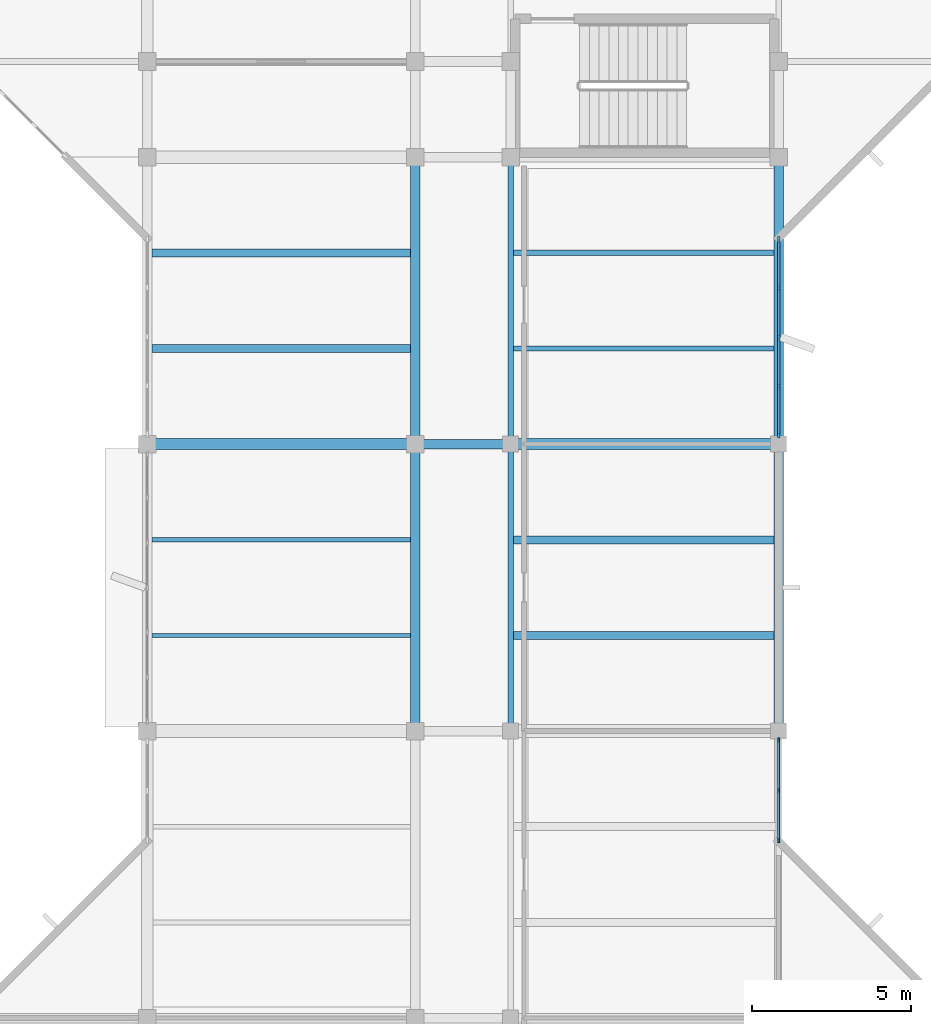
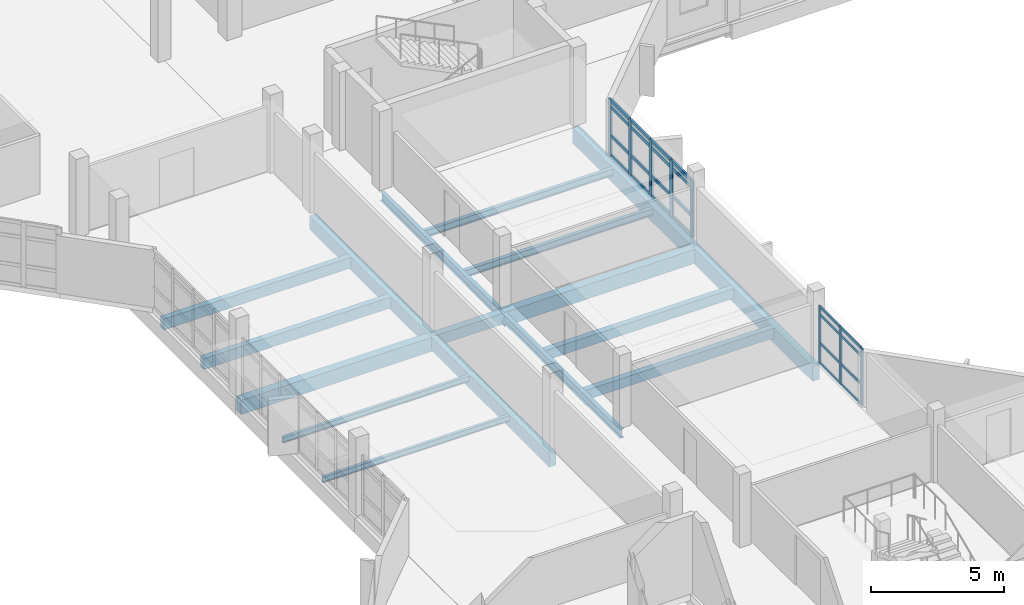
# One storey, part 10 of 51: 32 members, 17 beams, 2 elements without a shape of their own.
"""IFC4 building model written with IfcOpenShell, lengths in metres."""

from ifc_helpers import new_model, si_unit, direction, frame, origin, origin_2d, place, context, subcontext, project, spatial, rectangle, i_section, extrude, material, material_profile, profile_set, type_object, element, aggregate, save


model = new_model("IFC4")

# Units and contexts
model_context = context("Model", 3, precision=1e-05, world=origin(), true_north=direction((0.0, 1.0)))
body_context = subcontext(model_context, "Body", "Model", "MODEL_VIEW")
ifc_project = project(units=[si_unit("LENGTHUNIT", "METRE"), si_unit("AREAUNIT", "SQUARE_METRE"), si_unit("VOLUMEUNIT", "CUBIC_METRE"), si_unit("PLANEANGLEUNIT", "RADIAN"), si_unit("MASSUNIT", "GRAM", prefix="KILO")], contexts=[model_context])

# Site, building, storey
site_placement = place(None, origin())
site = spatial("IfcSite", under=ifc_project, at=site_placement, CompositionType="ELEMENT")
building_placement = place(site_placement, origin())
building = spatial("IfcBuilding", under=site, at=building_placement, Name="Vanh Quang Courtyard School", CompositionType="ELEMENT")
storey_placement = place(building_placement, frame((0.0, 0.0, 11.39990234375)))
storey = spatial("IfcBuildingStorey", under=building, at=storey_placement, Name="L03", CompositionType="ELEMENT", Elevation=11.39990234375)

# Beams
ifc_material_1 = material(Name="Concrete C35/45", Category="concrete")
ifc_material_profile_1 = material_profile(ifc_material_1, rectangle(XDim=0.300048828125, YDim=0.5, at=origin_2d()), Name="RC-BM 300x500")
ifc_profile_set_1 = profile_set([ifc_material_profile_1], Name="Concrete C35/45")
beam_type_1 = type_object("IfcBeamType", Name="BM-RC-300x500", PredefinedType="BEAM", material=ifc_profile_set_1)
beam_1_placement = place(storey_placement, frame((74.39990234375, 59.39990234375, -0.5498046875), z_axis=(1.0, 0.0, 0.0), x_axis=(0.0, 1.0, 0.0)))
element("IfcBeam", 1, at=beam_1_placement, inside=storey, type_object=beam_type_1, Name="Beam B-08 (L03)", PredefinedType="BEAM", context=body_context, shape_type="SweptSolid", body=[
    extrude(rectangle(XDim=0.300048828125, YDim=0.5, at=origin_2d()), origin(), (0.0, 0.0, 1.0), 3.0),
])
ifc_material_profile_2 = material_profile(ifc_material_1, rectangle(XDim=0.300048828125, YDim=0.60009765625, at=origin_2d()), Name="RC-BM 300x600")
ifc_profile_set_2 = profile_set([ifc_material_profile_2], Name="Concrete C35/45")
beam_type_2 = type_object("IfcBeamType", Name="BM-RC-300x600", PredefinedType="BEAM", material=ifc_profile_set_2)
for number, where, z_axis, x_axis, name in (
    (2, (74.39990234375, 50.39990234375, -0.599853515625), (0.0, 1.0, 0.0), (-1.0, 0.0, 0.0), "Beam B-06 (L03)"),
    (3, (74.39990234375, 59.39990234375, -0.599853515625), (0.0, 1.0, 0.0), (-1.0, 0.0, 0.0), "Beam B-06 (L03)"),
):
    element("IfcBeam", number, at=place(storey_placement, frame(where, z_axis=z_axis, x_axis=x_axis)), inside=storey, type_object=beam_type_2, Name=name, PredefinedType="BEAM", context=body_context, shape_type="SweptSolid", body=[
        extrude(rectangle(XDim=0.300048828125, YDim=0.60009765625, at=origin_2d()), origin(), (0.0, 0.0, 1.0), 9.0),
    ])
ifc_material_profile_3 = material_profile(ifc_material_1, rectangle(XDim=0.35009765625, YDim=0.64990234375, at=origin_2d()), Name="RC-BM 350x650")
ifc_profile_set_3 = profile_set([ifc_material_profile_3], Name="Concrete C35/45")
beam_type_3 = type_object("IfcBeamType", Name="BM-RC-350x650", PredefinedType="BEAM", material=ifc_profile_set_3)
beam_2_placement = place(storey_placement, frame((66.0, 59.39990234375, -0.625), z_axis=(1.0, 0.0, 0.0), x_axis=(0.0, 1.0, 0.0)))
element("IfcBeam", 4, at=beam_2_placement, inside=storey, type_object=beam_type_3, Name="Beam B-05 (L03)", PredefinedType="BEAM", context=body_context, shape_type="SweptSolid", body=[
    extrude(rectangle(XDim=0.35009765625, YDim=0.64990234375, at=origin_2d()), origin(), (0.0, 0.0, 1.0), 8.39990234375),
])
beam_3_placement = place(storey_placement, frame((77.39990234375, 59.39990234375, -0.5849609375), z_axis=(1.0, 0.0, 0.0), x_axis=(0.0, 1.0, 0.0)))
element("IfcBeam", 5, at=beam_3_placement, inside=storey, type_object=beam_type_3, Name="Beam B-05 (L03)", PredefinedType="BEAM", context=body_context, shape_type="SweptSolid", body=[
    extrude(rectangle(XDim=0.35009765625, YDim=0.64990234375, at=origin_2d()), origin(), (0.0, 0.0, 1.0), 8.400146484375),
])
ifc_material_profile_4 = material_profile(ifc_material_1, rectangle(XDim=0.300048828125, YDim=0.699951171875, at=origin_2d()), Name="RC-SP 300x700")
ifc_profile_set_4 = profile_set([ifc_material_profile_4], Name="Concrete C35/45")
beam_type_4 = type_object("IfcBeamType", Name="BM-SP-300x700", PredefinedType="SPANDREL", material=ifc_profile_set_4)
for number, where, z_axis, x_axis, name in (
    (6, (85.800048828125, 50.39990234375, -0.60986328125), (0.0, 1.0, 0.0), (-1.0, 0.0, 0.0), "Beam BS-01 (L03)"),
    (7, (85.800048828125, 59.39990234375, -0.60986328125), (0.0, 1.0, 0.0), (-1.0, 0.0, 0.0), "Beam BS-01 (L03)"),
):
    element("IfcBeam", number, at=place(storey_placement, frame(where, z_axis=z_axis, x_axis=x_axis)), inside=storey, type_object=beam_type_4, Name=name, PredefinedType="SPANDREL", context=body_context, shape_type="SweptSolid", body=[
        extrude(rectangle(XDim=0.300048828125, YDim=0.699951171875, at=origin_2d()), origin(), (0.0, 0.0, 1.0), 9.0),
    ])
ifc_material_2 = material(Name="Structural steel EN 10025-2 S355J2", Category="steel")
ifc_material_profile_5 = material_profile(ifc_material_2, i_section(OverallWidth=0.179931640625, OverallDepth=0.39990234375, WebThickness=0.008544921875, FlangeThickness=0.013427734375, FilletRadius=0.02099609375, at=origin_2d()), Name="IPE 400")
ifc_profile_set_5 = profile_set([ifc_material_profile_5], Name="Structural steel EN 10025-2 S355J2")
beam_type_5 = type_object("IfcBeamType", Name="BM-STL-IPE400", PredefinedType="BEAM", material=ifc_profile_set_5)
for number, where, z_axis, x_axis, name in (
    (8, (77.39990234375, 50.39990234375, -0.4599609375), (0.0, 1.0, 0.0), (-1.0, 0.0, 0.0), "Beam SB-05 (L03)"),
    (9, (77.39990234375, 59.39990234375, -0.4599609375), (0.0, 1.0, 0.0), (-1.0, 0.0, 0.0), "Beam SB-05 (L03)"),
):
    element("IfcBeam", number, at=place(storey_placement, frame(where, z_axis=z_axis, x_axis=x_axis)), inside=storey, type_object=beam_type_5, Name=name, PredefinedType="BEAM", context=body_context, shape_type="SweptSolid", body=[
        extrude(i_section(OverallWidth=0.179931640625, OverallDepth=0.39990234375, WebThickness=0.008544921875, FlangeThickness=0.013427734375, FilletRadius=0.02099609375, at=origin_2d()), origin(), (0.0, 0.0, 1.0), 9.0),
    ])

# Curtain wall, members
ifc_material_3 = material(Name="Thermally broken aluminium unitised curtain wall", Category="aluminium")
curtain_wall_type_1 = type_object("IfcCurtainWallType", Name="CW-SYS-63", PredefinedType="NOTDEFINED", material=ifc_material_3)
curtain_wall_1_placement = place(storey_placement, origin())
curtain_wall_1 = element("IfcCurtainWall", 10, at=curtain_wall_1_placement, inside=storey, type_object=curtain_wall_type_1, Name="Curtain Wall CW-63 (L03)", PredefinedType="NOTDEFINED")
ifc_material_4 = material(Name="Anodised aluminium 6063-T6", Category="aluminium")
ifc_material_profile_6 = material_profile(ifc_material_4, rectangle(XDim=0.06005859375, YDim=0.159912109375, at=origin_2d()), Name="ALU-MUL 60x160")
ifc_profile_set_6 = profile_set([ifc_material_profile_6], Name="Anodised aluminium 6063-T6")
member_type_1 = type_object("IfcMemberType", Name="CW-MUL-60x160", PredefinedType="MULLION", material=ifc_profile_set_6)
member_1_placement = place(storey_placement, frame((85.800048828125, 50.112060546875, 0.0), z_axis=(0.0, 0.0, 1.0), x_axis=(1.0, 0.0, 0.0)))
member_1 = element("IfcMember", 11, at=member_1_placement, type_object=member_type_1, Name="CW-63 mullion 1", PredefinedType="MULLION", context=body_context, shape_type="SweptSolid", body=[
    extrude(rectangle(XDim=0.06005859375, YDim=0.159912109375, at=origin_2d()), origin(), (0.0, 0.0, 1.0), 2.630126953125),
])
member_2_placement = place(storey_placement, frame((85.800048828125, 48.54296875, 0.0), z_axis=(0.0, 0.0, 1.0), x_axis=(1.0, 0.0, 0.0)))
member_2 = element("IfcMember", 12, at=member_2_placement, type_object=member_type_1, Name="CW-63 mullion 2", PredefinedType="MULLION", context=body_context, shape_type="SweptSolid", body=[
    extrude(rectangle(XDim=0.06005859375, YDim=0.159912109375, at=origin_2d()), origin(), (0.0, 0.0, 1.0), 2.630126953125),
])
member_3_placement = place(storey_placement, frame((85.800048828125, 46.97412109375, 0.0), z_axis=(0.0, 0.0, 1.0), x_axis=(1.0, 0.0, 0.0)))
member_3 = element("IfcMember", 13, at=member_3_placement, type_object=member_type_1, Name="CW-63 mullion 3", PredefinedType="MULLION", context=body_context, shape_type="SweptSolid", body=[
    extrude(rectangle(XDim=0.06005859375, YDim=0.159912109375, at=origin_2d()), origin(), (0.0, 0.0, 1.0), 2.630126953125),
])

curtain_wall_type_2 = type_object("IfcCurtainWallType", Name="CW-SYS-44", PredefinedType="NOTDEFINED", material=ifc_material_3)
curtain_wall_2_placement = place(storey_placement, origin())
curtain_wall_2 = element("IfcCurtainWall", 14, at=curtain_wall_2_placement, inside=storey, type_object=curtain_wall_type_2, Name="Curtain Wall CW-44 (L03)", PredefinedType="NOTDEFINED")
ifc_material_profile_7 = material_profile(ifc_material_4, rectangle(XDim=0.080078125, YDim=0.199951171875, at=origin_2d()), Name="ALU-MUL 80x200")
ifc_profile_set_7 = profile_set([ifc_material_profile_7], Name="Anodised aluminium 6063-T6")
member_type_2 = type_object("IfcMemberType", Name="CW-MUL-80x200", PredefinedType="MULLION", material=ifc_profile_set_7)
member_4_placement = place(storey_placement, frame((85.800048828125, 65.81591796875, 0.0), z_axis=(0.0, 0.0, 1.0), x_axis=(1.0, 0.0, 0.0)))
member_4 = element("IfcMember", 15, at=member_4_placement, type_object=member_type_2, Name="CW-44 mullion 1", PredefinedType="MULLION", context=body_context, shape_type="SweptSolid", body=[
    extrude(rectangle(XDim=0.080078125, YDim=0.199951171875, at=origin_2d()), origin(), (0.0, 0.0, 1.0), 2.580078125),
])
member_5_placement = place(storey_placement, frame((85.800048828125, 64.306396484375, 0.0), z_axis=(0.0, 0.0, 1.0), x_axis=(1.0, 0.0, 0.0)))
member_5 = element("IfcMember", 16, at=member_5_placement, type_object=member_type_2, Name="CW-44 mullion 2", PredefinedType="MULLION", context=body_context, shape_type="SweptSolid", body=[
    extrude(rectangle(XDim=0.080078125, YDim=0.199951171875, at=origin_2d()), origin(), (0.0, 0.0, 1.0), 2.580078125),
])
member_6_placement = place(storey_placement, frame((85.800048828125, 62.757080078125, 0.0), z_axis=(0.0, 0.0, 1.0), x_axis=(1.0, 0.0, 0.0)))
member_6 = element("IfcMember", 17, at=member_6_placement, type_object=member_type_2, Name="CW-44 mullion 3", PredefinedType="MULLION", context=body_context, shape_type="SweptSolid", body=[
    extrude(rectangle(XDim=0.080078125, YDim=0.199951171875, at=origin_2d()), origin(), (0.0, 0.0, 1.0), 2.580078125),
])
member_7_placement = place(storey_placement, frame((85.800048828125, 61.20751953125, 0.0), z_axis=(0.0, 0.0, 1.0), x_axis=(1.0, 0.0, 0.0)))
member_7 = element("IfcMember", 18, at=member_7_placement, type_object=member_type_2, Name="CW-44 mullion 4", PredefinedType="MULLION", context=body_context, shape_type="SweptSolid", body=[
    extrude(rectangle(XDim=0.080078125, YDim=0.199951171875, at=origin_2d()), origin(), (0.0, 0.0, 1.0), 2.580078125),
])
member_8_placement = place(storey_placement, frame((85.800048828125, 59.697998046875, 0.0), z_axis=(0.0, 0.0, 1.0), x_axis=(1.0, 0.0, 0.0)))
member_8 = element("IfcMember", 19, at=member_8_placement, type_object=member_type_2, Name="CW-44 mullion 5", PredefinedType="MULLION", context=body_context, shape_type="SweptSolid", body=[
    extrude(rectangle(XDim=0.080078125, YDim=0.199951171875, at=origin_2d()), origin(), (0.0, 0.0, 1.0), 2.580078125),
])

# Member
ifc_material_profile_8 = material_profile(ifc_material_4, rectangle(XDim=0.06005859375, YDim=0.1201171875, at=origin_2d()), Name="ALU-TRN 60x120")
ifc_profile_set_8 = profile_set([ifc_material_profile_8], Name="Anodised aluminium 6063-T6")
member_type_3 = type_object("IfcMemberType", Name="CW-TRN-60x120", PredefinedType="USERDEFINED", material=ifc_profile_set_8)
member_9_placement = place(storey_placement, frame((85.800048828125, 50.08203125, 0.030029296875), z_axis=(0.0, -1.0, 0.0), x_axis=(1.0, 0.0, 0.0)))
member_9 = element("IfcMember", 20, at=member_9_placement, type_object=member_type_3, Name="CW-63 transom 1.1", ObjectType="TRANSOM", PredefinedType="USERDEFINED", context=body_context, shape_type="SweptSolid", body=[
    extrude(rectangle(XDim=0.06005859375, YDim=0.1201171875, at=origin_2d()), origin(), (0.0, 0.0, 1.0), 1.509033203125),
])

member_10_placement = place(storey_placement, frame((85.800048828125, 50.08203125, 0.9501953125), z_axis=(0.0, -1.0, 0.0), x_axis=(1.0, 0.0, 0.0)))
member_10 = element("IfcMember", 21, at=member_10_placement, type_object=member_type_3, Name="CW-63 transom 1.2", ObjectType="TRANSOM", PredefinedType="USERDEFINED", context=body_context, shape_type="SweptSolid", body=[
    extrude(rectangle(XDim=0.06005859375, YDim=0.1201171875, at=origin_2d()), origin(), (0.0, 0.0, 1.0), 1.509033203125),
])

member_11_placement = place(storey_placement, frame((85.800048828125, 50.08203125, 2.25), z_axis=(0.0, -1.0, 0.0), x_axis=(1.0, 0.0, 0.0)))
member_11 = element("IfcMember", 22, at=member_11_placement, type_object=member_type_3, Name="CW-63 transom 1.3", ObjectType="TRANSOM", PredefinedType="USERDEFINED", context=body_context, shape_type="SweptSolid", body=[
    extrude(rectangle(XDim=0.06005859375, YDim=0.1201171875, at=origin_2d()), origin(), (0.0, 0.0, 1.0), 1.509033203125),
])

member_12_placement = place(storey_placement, frame((85.800048828125, 50.08203125, 2.60009765625), z_axis=(0.0, -1.0, 0.0), x_axis=(1.0, 0.0, 0.0)))
member_12 = element("IfcMember", 23, at=member_12_placement, type_object=member_type_3, Name="CW-63 transom 1.4", ObjectType="TRANSOM", PredefinedType="USERDEFINED", context=body_context, shape_type="SweptSolid", body=[
    extrude(rectangle(XDim=0.06005859375, YDim=0.1201171875, at=origin_2d()), origin(), (0.0, 0.0, 1.0), 1.509033203125),
])

member_13_placement = place(storey_placement, frame((85.800048828125, 48.512939453125, 0.030029296875), z_axis=(0.0, -1.0, 0.0), x_axis=(1.0, 0.0, 0.0)))
member_13 = element("IfcMember", 24, at=member_13_placement, type_object=member_type_3, Name="CW-63 transom 2.1", ObjectType="TRANSOM", PredefinedType="USERDEFINED", context=body_context, shape_type="SweptSolid", body=[
    extrude(rectangle(XDim=0.06005859375, YDim=0.1201171875, at=origin_2d()), origin(), (0.0, 0.0, 1.0), 1.509033203125),
])

member_14_placement = place(storey_placement, frame((85.800048828125, 48.512939453125, 0.9501953125), z_axis=(0.0, -1.0, 0.0), x_axis=(1.0, 0.0, 0.0)))
member_14 = element("IfcMember", 25, at=member_14_placement, type_object=member_type_3, Name="CW-63 transom 2.2", ObjectType="TRANSOM", PredefinedType="USERDEFINED", context=body_context, shape_type="SweptSolid", body=[
    extrude(rectangle(XDim=0.06005859375, YDim=0.1201171875, at=origin_2d()), origin(), (0.0, 0.0, 1.0), 1.509033203125),
])

member_15_placement = place(storey_placement, frame((85.800048828125, 48.512939453125, 2.25), z_axis=(0.0, -1.0, 0.0), x_axis=(1.0, 0.0, 0.0)))
member_15 = element("IfcMember", 26, at=member_15_placement, type_object=member_type_3, Name="CW-63 transom 2.3", ObjectType="TRANSOM", PredefinedType="USERDEFINED", context=body_context, shape_type="SweptSolid", body=[
    extrude(rectangle(XDim=0.06005859375, YDim=0.1201171875, at=origin_2d()), origin(), (0.0, 0.0, 1.0), 1.509033203125),
])

member_16_placement = place(storey_placement, frame((85.800048828125, 48.512939453125, 2.60009765625), z_axis=(0.0, -1.0, 0.0), x_axis=(1.0, 0.0, 0.0)))
member_16 = element("IfcMember", 27, at=member_16_placement, type_object=member_type_3, Name="CW-63 transom 2.4", ObjectType="TRANSOM", PredefinedType="USERDEFINED", context=body_context, shape_type="SweptSolid", body=[
    extrude(rectangle(XDim=0.06005859375, YDim=0.1201171875, at=origin_2d()), origin(), (0.0, 0.0, 1.0), 1.509033203125),
])

aggregate(curtain_wall_1, [member_1, member_2, member_3, member_9, member_10, member_11, member_12, member_13, member_14, member_15, member_16])

ifc_material_profile_9 = material_profile(ifc_material_4, rectangle(XDim=0.080078125, YDim=0.14990234375, at=origin_2d()), Name="ALU-TRN 80x150")
ifc_profile_set_9 = profile_set([ifc_material_profile_9], Name="Anodised aluminium 6063-T6")
member_type_4 = type_object("IfcMemberType", Name="CW-TRN-80x150", PredefinedType="USERDEFINED", material=ifc_profile_set_9)
member_17_placement = place(storey_placement, frame((85.800048828125, 65.77587890625, 0.0400390625), z_axis=(0.0, -1.0, 0.0), x_axis=(1.0, 0.0, 0.0)))
member_17 = element("IfcMember", 28, at=member_17_placement, type_object=member_type_4, Name="CW-44 transom 1.1", ObjectType="TRANSOM", PredefinedType="USERDEFINED", context=body_context, shape_type="SweptSolid", body=[
    extrude(rectangle(XDim=0.080078125, YDim=0.14990234375, at=origin_2d()), origin(), (0.0, 0.0, 1.0), 1.429443359375),
])

member_18_placement = place(storey_placement, frame((85.800048828125, 65.77587890625, 0.9501953125), z_axis=(0.0, -1.0, 0.0), x_axis=(1.0, 0.0, 0.0)))
member_18 = element("IfcMember", 29, at=member_18_placement, type_object=member_type_4, Name="CW-44 transom 1.2", ObjectType="TRANSOM", PredefinedType="USERDEFINED", context=body_context, shape_type="SweptSolid", body=[
    extrude(rectangle(XDim=0.080078125, YDim=0.14990234375, at=origin_2d()), origin(), (0.0, 0.0, 1.0), 1.429443359375),
])

member_19_placement = place(storey_placement, frame((85.800048828125, 65.77587890625, 2.25), z_axis=(0.0, -1.0, 0.0), x_axis=(1.0, 0.0, 0.0)))
member_19 = element("IfcMember", 30, at=member_19_placement, type_object=member_type_4, Name="CW-44 transom 1.3", ObjectType="TRANSOM", PredefinedType="USERDEFINED", context=body_context, shape_type="SweptSolid", body=[
    extrude(rectangle(XDim=0.080078125, YDim=0.14990234375, at=origin_2d()), origin(), (0.0, 0.0, 1.0), 1.429443359375),
])

member_20_placement = place(storey_placement, frame((85.800048828125, 65.77587890625, 2.5400390625), z_axis=(0.0, -1.0, 0.0), x_axis=(1.0, 0.0, 0.0)))
member_20 = element("IfcMember", 31, at=member_20_placement, type_object=member_type_4, Name="CW-44 transom 1.4", ObjectType="TRANSOM", PredefinedType="USERDEFINED", context=body_context, shape_type="SweptSolid", body=[
    extrude(rectangle(XDim=0.080078125, YDim=0.14990234375, at=origin_2d()), origin(), (0.0, 0.0, 1.0), 1.429443359375),
])

member_21_placement = place(storey_placement, frame((85.800048828125, 64.2666015625, 0.0400390625), z_axis=(0.0, -1.0, 0.0), x_axis=(1.0, 0.0, 0.0)))
member_21 = element("IfcMember", 32, at=member_21_placement, type_object=member_type_4, Name="CW-44 transom 2.1", ObjectType="TRANSOM", PredefinedType="USERDEFINED", context=body_context, shape_type="SweptSolid", body=[
    extrude(rectangle(XDim=0.080078125, YDim=0.14990234375, at=origin_2d()), origin(), (0.0, 0.0, 1.0), 1.469482421875),
])

member_22_placement = place(storey_placement, frame((85.800048828125, 64.2666015625, 0.9501953125), z_axis=(0.0, -1.0, 0.0), x_axis=(1.0, 0.0, 0.0)))
member_22 = element("IfcMember", 33, at=member_22_placement, type_object=member_type_4, Name="CW-44 transom 2.2", ObjectType="TRANSOM", PredefinedType="USERDEFINED", context=body_context, shape_type="SweptSolid", body=[
    extrude(rectangle(XDim=0.080078125, YDim=0.14990234375, at=origin_2d()), origin(), (0.0, 0.0, 1.0), 1.469482421875),
])

member_23_placement = place(storey_placement, frame((85.800048828125, 64.2666015625, 2.25), z_axis=(0.0, -1.0, 0.0), x_axis=(1.0, 0.0, 0.0)))
member_23 = element("IfcMember", 34, at=member_23_placement, type_object=member_type_4, Name="CW-44 transom 2.3", ObjectType="TRANSOM", PredefinedType="USERDEFINED", context=body_context, shape_type="SweptSolid", body=[
    extrude(rectangle(XDim=0.080078125, YDim=0.14990234375, at=origin_2d()), origin(), (0.0, 0.0, 1.0), 1.469482421875),
])

member_24_placement = place(storey_placement, frame((85.800048828125, 64.2666015625, 2.5400390625), z_axis=(0.0, -1.0, 0.0), x_axis=(1.0, 0.0, 0.0)))
member_24 = element("IfcMember", 35, at=member_24_placement, type_object=member_type_4, Name="CW-44 transom 2.4", ObjectType="TRANSOM", PredefinedType="USERDEFINED", context=body_context, shape_type="SweptSolid", body=[
    extrude(rectangle(XDim=0.080078125, YDim=0.14990234375, at=origin_2d()), origin(), (0.0, 0.0, 1.0), 1.469482421875),
])

member_25_placement = place(storey_placement, frame((85.800048828125, 62.717041015625, 0.0400390625), z_axis=(0.0, -1.0, 0.0), x_axis=(1.0, 0.0, 0.0)))
member_25 = element("IfcMember", 36, at=member_25_placement, type_object=member_type_4, Name="CW-44 transom 3.1", ObjectType="TRANSOM", PredefinedType="USERDEFINED", context=body_context, shape_type="SweptSolid", body=[
    extrude(rectangle(XDim=0.080078125, YDim=0.14990234375, at=origin_2d()), origin(), (0.0, 0.0, 1.0), 1.469482421875),
])

member_26_placement = place(storey_placement, frame((85.800048828125, 62.717041015625, 0.9501953125), z_axis=(0.0, -1.0, 0.0), x_axis=(1.0, 0.0, 0.0)))
member_26 = element("IfcMember", 37, at=member_26_placement, type_object=member_type_4, Name="CW-44 transom 3.2", ObjectType="TRANSOM", PredefinedType="USERDEFINED", context=body_context, shape_type="SweptSolid", body=[
    extrude(rectangle(XDim=0.080078125, YDim=0.14990234375, at=origin_2d()), origin(), (0.0, 0.0, 1.0), 1.469482421875),
])

member_27_placement = place(storey_placement, frame((85.800048828125, 62.717041015625, 2.25), z_axis=(0.0, -1.0, 0.0), x_axis=(1.0, 0.0, 0.0)))
member_27 = element("IfcMember", 38, at=member_27_placement, type_object=member_type_4, Name="CW-44 transom 3.3", ObjectType="TRANSOM", PredefinedType="USERDEFINED", context=body_context, shape_type="SweptSolid", body=[
    extrude(rectangle(XDim=0.080078125, YDim=0.14990234375, at=origin_2d()), origin(), (0.0, 0.0, 1.0), 1.469482421875),
])

member_28_placement = place(storey_placement, frame((85.800048828125, 62.717041015625, 2.5400390625), z_axis=(0.0, -1.0, 0.0), x_axis=(1.0, 0.0, 0.0)))
member_28 = element("IfcMember", 39, at=member_28_placement, type_object=member_type_4, Name="CW-44 transom 3.4", ObjectType="TRANSOM", PredefinedType="USERDEFINED", context=body_context, shape_type="SweptSolid", body=[
    extrude(rectangle(XDim=0.080078125, YDim=0.14990234375, at=origin_2d()), origin(), (0.0, 0.0, 1.0), 1.469482421875),
])

member_29_placement = place(storey_placement, frame((85.800048828125, 61.16748046875, 0.0400390625), z_axis=(0.0, -1.0, 0.0), x_axis=(1.0, 0.0, 0.0)))
member_29 = element("IfcMember", 40, at=member_29_placement, type_object=member_type_4, Name="CW-44 transom 4.1", ObjectType="TRANSOM", PredefinedType="USERDEFINED", context=body_context, shape_type="SweptSolid", body=[
    extrude(rectangle(XDim=0.080078125, YDim=0.14990234375, at=origin_2d()), origin(), (0.0, 0.0, 1.0), 1.429443359375),
])

member_30_placement = place(storey_placement, frame((85.800048828125, 61.16748046875, 0.9501953125), z_axis=(0.0, -1.0, 0.0), x_axis=(1.0, 0.0, 0.0)))
member_30 = element("IfcMember", 41, at=member_30_placement, type_object=member_type_4, Name="CW-44 transom 4.2", ObjectType="TRANSOM", PredefinedType="USERDEFINED", context=body_context, shape_type="SweptSolid", body=[
    extrude(rectangle(XDim=0.080078125, YDim=0.14990234375, at=origin_2d()), origin(), (0.0, 0.0, 1.0), 1.429443359375),
])

member_31_placement = place(storey_placement, frame((85.800048828125, 61.16748046875, 2.25), z_axis=(0.0, -1.0, 0.0), x_axis=(1.0, 0.0, 0.0)))
member_31 = element("IfcMember", 42, at=member_31_placement, type_object=member_type_4, Name="CW-44 transom 4.3", ObjectType="TRANSOM", PredefinedType="USERDEFINED", context=body_context, shape_type="SweptSolid", body=[
    extrude(rectangle(XDim=0.080078125, YDim=0.14990234375, at=origin_2d()), origin(), (0.0, 0.0, 1.0), 1.429443359375),
])

member_32_placement = place(storey_placement, frame((85.800048828125, 61.16748046875, 2.5400390625), z_axis=(0.0, -1.0, 0.0), x_axis=(1.0, 0.0, 0.0)))
member_32 = element("IfcMember", 43, at=member_32_placement, type_object=member_type_4, Name="CW-44 transom 4.4", ObjectType="TRANSOM", PredefinedType="USERDEFINED", context=body_context, shape_type="SweptSolid", body=[
    extrude(rectangle(XDim=0.080078125, YDim=0.14990234375, at=origin_2d()), origin(), (0.0, 0.0, 1.0), 1.429443359375),
])

aggregate(curtain_wall_2, [member_4, member_5, member_6, member_7, member_8, member_17, member_18, member_19, member_20, member_21, member_22, member_23, member_24, member_25, member_26, member_27, member_28, member_29, member_30, member_31, member_32])

# Beams
ifc_material_5 = material(Name="Concrete C30/37", Category="concrete")
ifc_material_profile_10 = material_profile(ifc_material_5, rectangle(XDim=0.25, YDim=0.449951171875, at=origin_2d()), Name="RC-JST 250x450")
ifc_profile_set_10 = profile_set([ifc_material_profile_10], Name="Concrete C30/37")
beam_type_6 = type_object("IfcBeamType", Name="JST-RC-250x450", PredefinedType="JOIST", material=ifc_profile_set_10)
for number, where, z_axis, x_axis, name in (
    (44, (77.489990234375, 53.39990234375, -0.48486328125), (1.0, 0.0, 0.0), (0.0, 1.0, 0.0), "Beam BJ-02 (L03)"),
    (45, (77.489990234375, 56.39990234375, -0.48486328125), (1.0, 0.0, 0.0), (0.0, 1.0, 0.0), "Beam BJ-02 (L03)"),
):
    element("IfcBeam", number, at=place(storey_placement, frame(where, z_axis=z_axis, x_axis=x_axis)), inside=storey, type_object=beam_type_6, Name=name, PredefinedType="JOIST", context=body_context, shape_type="SweptSolid", body=[
        extrude(rectangle(XDim=0.25, YDim=0.449951171875, at=origin_2d()), origin(), (0.0, 0.0, 1.0), 8.159912109375),
    ])
ifc_material_profile_11 = material_profile(ifc_material_5, rectangle(XDim=0.25, YDim=0.5, at=origin_2d()), Name="RC-JST 250x500")
ifc_profile_set_11 = profile_set([ifc_material_profile_11], Name="Concrete C30/37")
beam_type_7 = type_object("IfcBeamType", Name="JST-RC-250x500", PredefinedType="JOIST", material=ifc_profile_set_11)
for number, where, z_axis, x_axis, name in (
    (46, (66.14990234375, 62.39990234375, -0.5498046875), (1.0, 0.0, 0.0), (0.0, 1.0, 0.0), "Beam BJ-01 (L03)"),
    (47, (66.14990234375, 65.39990234375, -0.5498046875), (1.0, 0.0, 0.0), (0.0, 1.0, 0.0), "Beam BJ-01 (L03)"),
):
    element("IfcBeam", number, at=place(storey_placement, frame(where, z_axis=z_axis, x_axis=x_axis)), inside=storey, type_object=beam_type_7, Name=name, PredefinedType="JOIST", context=body_context, shape_type="SweptSolid", body=[
        extrude(rectangle(XDim=0.25, YDim=0.5, at=origin_2d()), origin(), (0.0, 0.0, 1.0), 8.10009765625),
    ])
ifc_material_profile_12 = material_profile(ifc_material_2, i_section(OverallWidth=0.135009765625, OverallDepth=0.27001953125, WebThickness=0.006591796875, FlangeThickness=0.01025390625, FilletRadius=0.014892578125, at=origin_2d()), Name="IPE 270")
ifc_profile_set_12 = profile_set([ifc_material_profile_12], Name="Structural steel EN 10025-2 S355J2")
beam_type_8 = type_object("IfcBeamType", Name="JST-STL-IPE270", PredefinedType="JOIST", material=ifc_profile_set_12)
for number, where, z_axis, x_axis, name in (
    (48, (66.14990234375, 53.39990234375, -0.434814453125), (1.0, 0.0, 0.0), (0.0, 1.0, 0.0), "Beam SJ-03 (L03)"),
    (49, (66.14990234375, 56.39990234375, -0.434814453125), (1.0, 0.0, 0.0), (0.0, 1.0, 0.0), "Beam SJ-03 (L03)"),
):
    element("IfcBeam", number, at=place(storey_placement, frame(where, z_axis=z_axis, x_axis=x_axis)), inside=storey, type_object=beam_type_8, Name=name, PredefinedType="JOIST", context=body_context, shape_type="SweptSolid", body=[
        extrude(i_section(OverallWidth=0.135009765625, OverallDepth=0.27001953125, WebThickness=0.006591796875, FlangeThickness=0.01025390625, FilletRadius=0.014892578125, at=origin_2d()), origin(), (0.0, 0.0, 1.0), 8.10009765625),
    ])
ifc_material_profile_13 = material_profile(ifc_material_2, i_section(OverallWidth=0.159912109375, OverallDepth=0.330078125, WebThickness=0.007568359375, FlangeThickness=0.011474609375, FilletRadius=0.01806640625, at=origin_2d()), Name="IPE 330")
ifc_profile_set_13 = profile_set([ifc_material_profile_13], Name="Structural steel EN 10025-2 S355J2")
beam_type_9 = type_object("IfcBeamType", Name="JST-STL-IPE330", PredefinedType="JOIST", material=ifc_profile_set_13)
for number, where, z_axis, x_axis, name in (
    (50, (77.489990234375, 62.39990234375, -0.4248046875), (1.0, 0.0, 0.0), (0.0, 1.0, 0.0), "Beam SJ-01 (L03)"),
    (51, (77.489990234375, 65.39990234375, -0.4248046875), (1.0, 0.0, 0.0), (0.0, 1.0, 0.0), "Beam SJ-01 (L03)"),
):
    element("IfcBeam", number, at=place(storey_placement, frame(where, z_axis=z_axis, x_axis=x_axis)), inside=storey, type_object=beam_type_9, Name=name, PredefinedType="JOIST", context=body_context, shape_type="SweptSolid", body=[
        extrude(i_section(OverallWidth=0.159912109375, OverallDepth=0.330078125, WebThickness=0.007568359375, FlangeThickness=0.011474609375, FilletRadius=0.01806640625, at=origin_2d()), origin(), (0.0, 0.0, 1.0), 8.159912109375),
    ])

save(model, "model.ifc")
